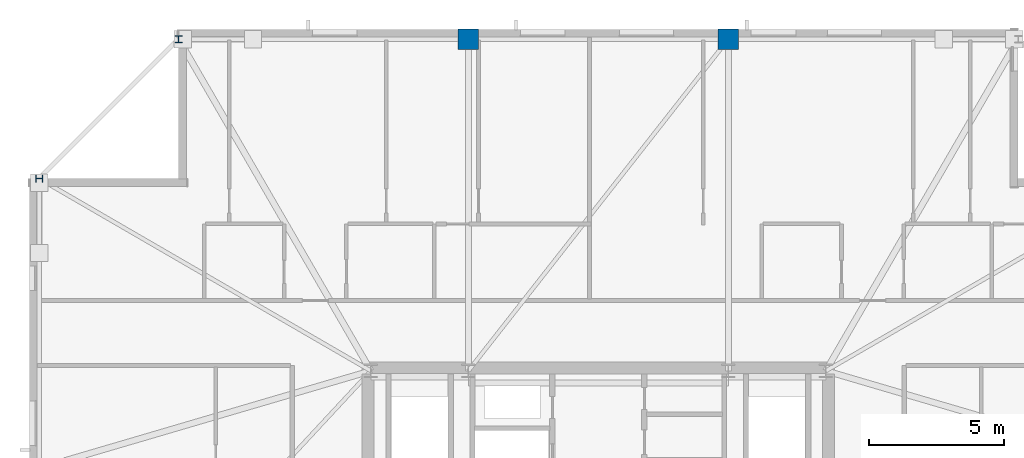
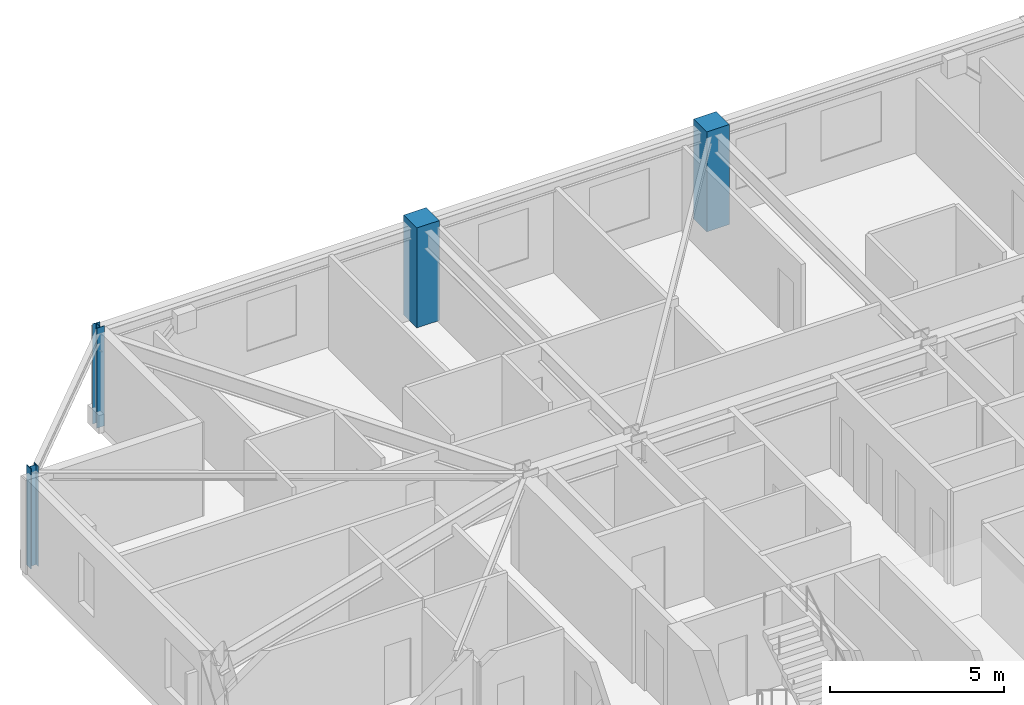
# One storey, part 4 of 16: 4 columns.
"""IFC4 building model written with IfcOpenShell, lengths in metres."""

from ifc_helpers import new_model, si_unit, direction, frame, origin, origin_2d, place, context, subcontext, project, spatial, rectangle, i_section, extrude, material, material_profile, profile_set, type_object, element, save


model = new_model("IFC4")

# Units and contexts
model_context = context("Model", 3, precision=1e-05, world=origin(), true_north=direction((0.0, 1.0)))
body_context = subcontext(model_context, "Body", "Model", "MODEL_VIEW")
ifc_project = project(units=[si_unit("LENGTHUNIT", "METRE"), si_unit("AREAUNIT", "SQUARE_METRE"), si_unit("VOLUMEUNIT", "CUBIC_METRE"), si_unit("PLANEANGLEUNIT", "RADIAN"), si_unit("MASSUNIT", "GRAM", prefix="KILO")], contexts=[model_context])

# Site, building, storey
site_placement = place(None, origin())
site = spatial("IfcSite", under=ifc_project, at=site_placement, CompositionType="ELEMENT")
building_placement = place(site_placement, origin())
building = spatial("IfcBuilding", under=site, at=building_placement, Name="Cairnveth Concourse Tower", CompositionType="ELEMENT")
storey_placement = place(building_placement, frame((0.0, 0.0, 312.0)))
storey = spatial("IfcBuildingStorey", under=building, at=storey_placement, Name="L86", CompositionType="ELEMENT", Elevation=312.0)

# Columns
ifc_material_1 = material(Name="Concrete N50 (50 MPa)", Category="concrete")
ifc_material_profile_1 = material_profile(ifc_material_1, rectangle(XDim=0.75, YDim=0.75, at=origin_2d()), Name="RC-COL-750x750")
ifc_profile_set_1 = profile_set([ifc_material_profile_1], Name="Concrete N50 (50 MPa)")
column_type_1 = type_object("IfcColumnType", Name="PERIMETER PIER COLUMN 750X750", PredefinedType="COLUMN", material=ifc_profile_set_1)
for number, where, z_axis, x_axis, name in (
    (1, (56.800048828125, 59.64990234375, 0.0), (0.0, 0.0, 1.0), (1.0, 0.0, 0.0), "Column P-N2 L86"),
    (2, (47.199951171875, 59.64990234375, 0.0), (0.0, 0.0, 1.0), (1.0, 0.0, 0.0), "Column P-N3 L86"),
):
    element("IfcColumn", number, at=place(storey_placement, frame(where, z_axis=z_axis, x_axis=x_axis)), inside=storey, type_object=column_type_1, Name=name, PredefinedType="COLUMN", context=body_context, shape_type="SweptSolid", body=[
        extrude(rectangle(XDim=0.75, YDim=0.75, at=origin_2d()), origin(), (0.0, 0.0, 1.0), 3.5),
    ])
ifc_material_2 = material(Name="Steel Grade 350", Category="steel")
ifc_material_profile_2 = material_profile(ifc_material_2, i_section(OverallWidth=0.25390625, OverallDepth=0.25390625, WebThickness=0.008544921875, FlangeThickness=0.01416015625, FilletRadius=0.012939453125, at=origin_2d()), Name="250UC72.9")
ifc_profile_set_2 = profile_set([ifc_material_profile_2], Name="Steel Grade 350")
column_type_2 = type_object("IfcColumnType", Name="UNIVERSAL STEEL COLUMN 250UC72.9", PredefinedType="COLUMN", material=ifc_profile_set_2)
for number, where, z_axis, x_axis, name in (
    (3, (36.5, 59.64990234375, 0.0), (0.0, 0.0, 1.0), (1.0, 0.0, 0.0), "Column P-N4 L86"),
    (4, (31.35009765625, 54.5, 0.0), (0.0, 0.0, 1.0), (0.0, 1.0, 0.0), "Column P-W1 L86"),
):
    element("IfcColumn", number, at=place(storey_placement, frame(where, z_axis=z_axis, x_axis=x_axis)), inside=storey, type_object=column_type_2, Name=name, PredefinedType="COLUMN", context=body_context, shape_type="SweptSolid", body=[
        extrude(i_section(OverallWidth=0.25390625, OverallDepth=0.25390625, WebThickness=0.008544921875, FlangeThickness=0.01416015625, FilletRadius=0.012939453125, at=origin_2d()), origin(), (0.0, 0.0, 1.0), 3.5),
    ])

save(model, "model.ifc")
